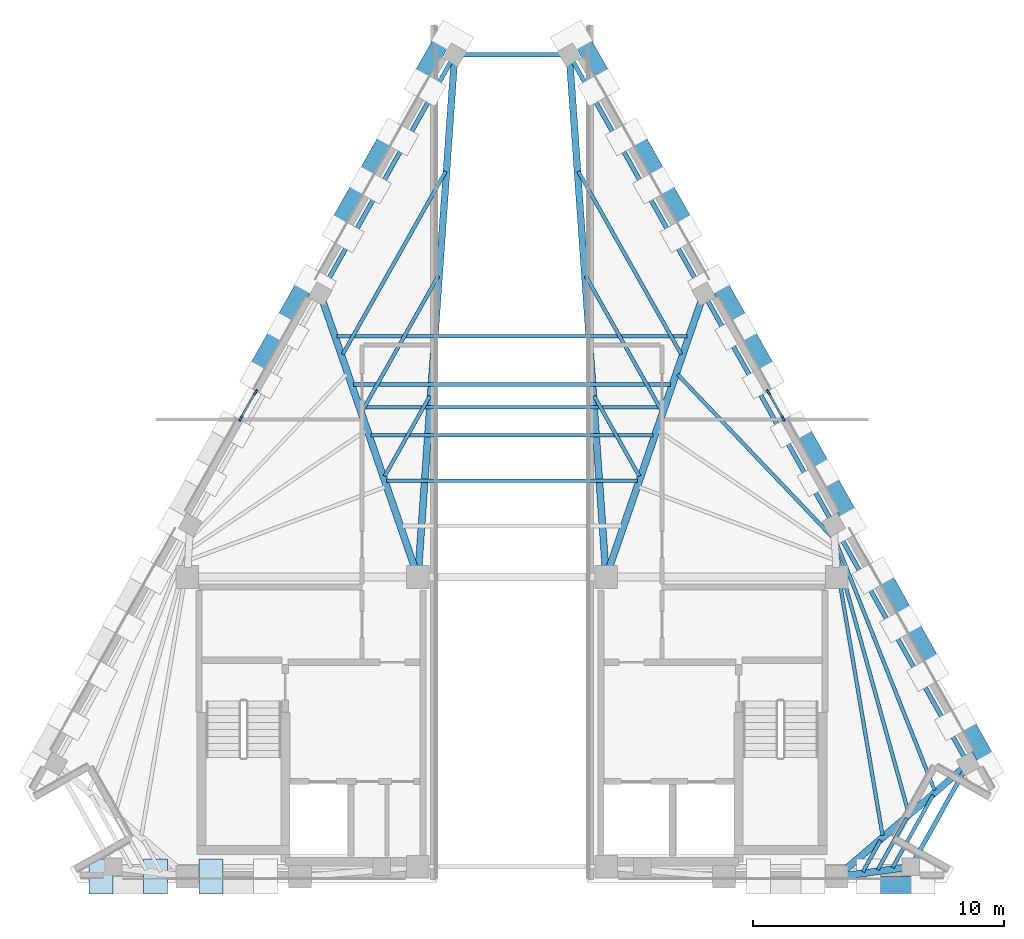
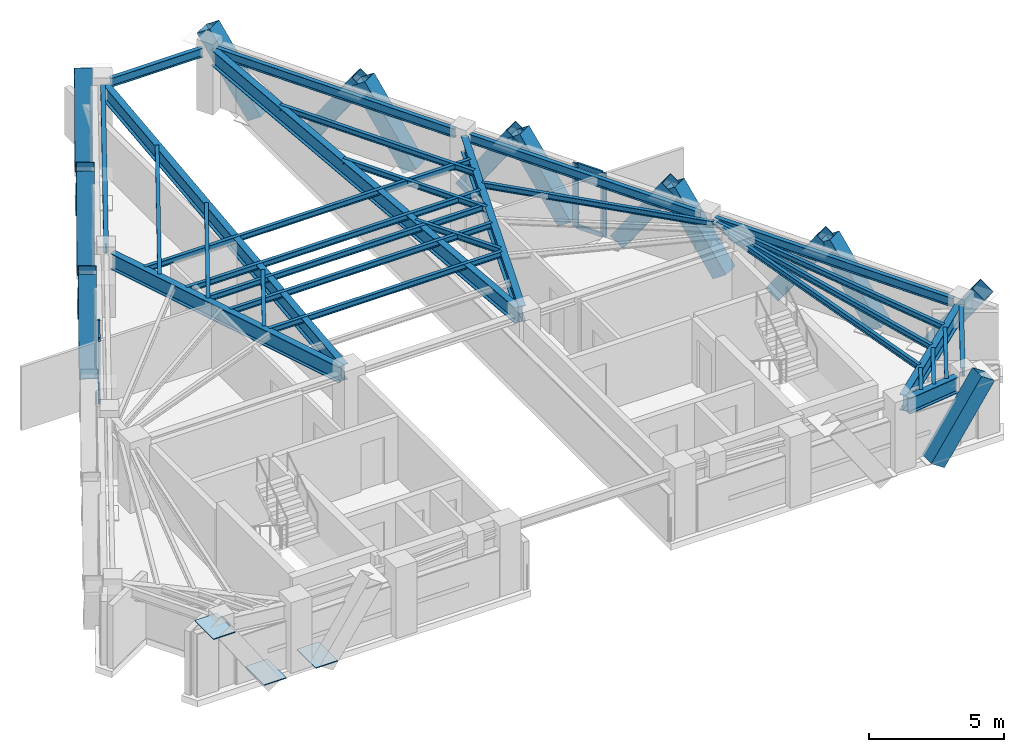
# One storey, part 2 of 6: 30 beams, 24 members, 3 plates, 2 elements without a shape of their own.
"""IFC4 building model written with IfcOpenShell, lengths in metres."""

from ifc_helpers import new_model, si_unit, direction, frame, origin, origin_2d, place, context, subcontext, project, spatial, rectangle, hollow_rectangle, i_section, extrude, material, layer, layer_set, material_profile, profile_set, type_object, element, aggregate, save


model = new_model("IFC4")

# Units and contexts
model_context = context("Model", 3, precision=1e-05, world=origin(), true_north=direction((0.0, 1.0)))
body_context = subcontext(model_context, "Body", "Model", "MODEL_VIEW")
ifc_project = project(units=[si_unit("LENGTHUNIT", "METRE"), si_unit("AREAUNIT", "SQUARE_METRE"), si_unit("VOLUMEUNIT", "CUBIC_METRE"), si_unit("PLANEANGLEUNIT", "RADIAN"), si_unit("MASSUNIT", "GRAM", prefix="KILO")], contexts=[model_context])

# Site, building, storey
site_placement = place(None, origin())
site = spatial("IfcSite", under=ifc_project, at=site_placement, CompositionType="ELEMENT")
building_placement = place(site_placement, origin())
building = spatial("IfcBuilding", under=site, at=building_placement, Name="Quenlor Broadcast Tower", CompositionType="ELEMENT")
storey_placement = place(building_placement, frame((0.0, 0.0, 277.300048828125)))
storey = spatial("IfcBuildingStorey", under=building, at=storey_placement, Name="L77", CompositionType="ELEMENT", Elevation=277.300048828125)

# Curtain wall, members
ifc_material_1 = material(Name="Architectural Terracotta and Low-E Glazing", Category="masonry")
curtain_wall_type = type_object("IfcCurtainWallType", Name="Station Concourse and Crown Terracotta Curtain Wall", PredefinedType="NOTDEFINED", material=ifc_material_1)
curtain_wall_1_placement = place(storey_placement, origin())
curtain_wall_1 = element("IfcCurtainWall", 1, at=curtain_wall_1_placement, inside=storey, type_object=curtain_wall_type, Name="L77 Curtain Wall CW6 (L77-NE-G1)", PredefinedType="NOTDEFINED")
ifc_material_2 = material(Name="Aluminium 6063-T6", Category="aluminium")
ifc_material_profile_1 = material_profile(ifc_material_2, rectangle(XDim=0.08203125, YDim=0.239990234375, at=origin_2d()))
ifc_profile_set_1 = profile_set([ifc_material_profile_1], Name="Aluminium 6063-T6 MULL82x240")
member_type_1 = type_object("IfcMemberType", Name="CW6 Aluminium Mullion MULL_CW6", PredefinedType="MULLION", material=ifc_profile_set_1)
member_1_placement = place(storey_placement, frame((10.22314453125, 2.5625, 0.0), z_axis=(0.0, 0.0, 1.0), x_axis=(0.871552571349, 0.490302065441, 0.0)))
member_1 = element("IfcMember", 2, at=member_1_placement, type_object=member_type_1, Name="CW6 mullion 1", PredefinedType="MULLION", context=body_context, shape_type="SweptSolid", body=[
    extrude(rectangle(XDim=0.08203125, YDim=0.239990234375, at=origin_2d()), origin(), (0.0, 0.0, 1.0), 2.8798828125),
])
member_2_placement = place(storey_placement, frame((10.810302734375, 1.51904296875, 0.0), z_axis=(0.0, 0.0, 1.0), x_axis=(0.871552571349, 0.490302065441, 0.0)))
member_2 = element("IfcMember", 3, at=member_2_placement, type_object=member_type_1, Name="CW6 mullion 2", PredefinedType="MULLION", context=body_context, shape_type="SweptSolid", body=[
    extrude(rectangle(XDim=0.08203125, YDim=0.239990234375, at=origin_2d()), origin(), (0.0, 0.0, 1.0), 2.8798828125),
])

curtain_wall_2_placement = place(storey_placement, origin())
curtain_wall_2 = element("IfcCurtainWall", 4, at=curtain_wall_2_placement, inside=storey, type_object=curtain_wall_type, Name="L77 Curtain Wall CW6 (L77-NW-G1)", PredefinedType="NOTDEFINED")
member_3_placement = place(storey_placement, frame((-10.810302734375, 1.51904296875, 0.0), z_axis=(0.0, 0.0, 1.0), x_axis=(-0.871552571349, 0.490302065441, 0.0)))
member_3 = element("IfcMember", 5, at=member_3_placement, type_object=member_type_1, Name="CW6 mullion 1", PredefinedType="MULLION", context=body_context, shape_type="SweptSolid", body=[
    extrude(rectangle(XDim=0.08203125, YDim=0.239990234375, at=origin_2d()), origin(), (0.0, 0.0, 1.0), 2.8798828125),
])
member_4_placement = place(storey_placement, frame((-10.22314453125, 2.5625, 0.0), z_axis=(0.0, 0.0, 1.0), x_axis=(-0.871552571349, 0.490302065441, 0.0)))
member_4 = element("IfcMember", 6, at=member_4_placement, type_object=member_type_1, Name="CW6 mullion 2", PredefinedType="MULLION", context=body_context, shape_type="SweptSolid", body=[
    extrude(rectangle(XDim=0.08203125, YDim=0.239990234375, at=origin_2d()), origin(), (0.0, 0.0, 1.0), 2.8798828125),
])

# Member
ifc_material_3 = material(Name="Aluminium 6063-T6", Category="aluminium")
ifc_material_profile_2 = material_profile(ifc_material_3, rectangle(XDim=0.08203125, YDim=0.195068359375, at=origin_2d()))
ifc_profile_set_2 = profile_set([ifc_material_profile_2], Name="Aluminium 6063-T6 TRAN82x195")
member_type_2 = type_object("IfcMemberType", Name="CW6 Aluminium Transom TRAN_CW6", PredefinedType="USERDEFINED", material=ifc_profile_set_2)
member_5_placement = place(storey_placement, frame((10.243408203125, 2.526611328125, 0.041015625), z_axis=(0.490209264597, -0.871604771042, 0.0), x_axis=(0.871604771042, 0.490209264597, 0.0)))
member_5 = element("IfcMember", 7, at=member_5_placement, type_object=member_type_2, Name="CW6 transom 1.1", ObjectType="TRANSOM", PredefinedType="USERDEFINED", context=body_context, shape_type="SweptSolid", body=[
    extrude(rectangle(XDim=0.08203125, YDim=0.195068359375, at=origin_2d()), origin(), (0.0, 0.0, 1.0), 1.114990234375),
])

member_6_placement = place(storey_placement, frame((10.243408203125, 2.526611328125, 2.8388671875), z_axis=(0.490209264597, -0.871604771042, 0.0), x_axis=(0.871604771042, 0.490209264597, 0.0)))
member_6 = element("IfcMember", 8, at=member_6_placement, type_object=member_type_2, Name="CW6 transom 1.2", ObjectType="TRANSOM", PredefinedType="USERDEFINED", context=body_context, shape_type="SweptSolid", body=[
    extrude(rectangle(XDim=0.08203125, YDim=0.195068359375, at=origin_2d()), origin(), (0.0, 0.0, 1.0), 1.114990234375),
])

aggregate(curtain_wall_1, [member_1, member_2, member_5, member_6])

member_7_placement = place(storey_placement, frame((-10.7900390625, 1.5546875, 0.041015625), z_axis=(0.490209264597, 0.871604771042, 0.0), x_axis=(-0.871604771042, 0.490209264597, 0.0)))
member_7 = element("IfcMember", 9, at=member_7_placement, type_object=member_type_2, Name="CW6 transom 1.1", ObjectType="TRANSOM", PredefinedType="USERDEFINED", context=body_context, shape_type="SweptSolid", body=[
    extrude(rectangle(XDim=0.08203125, YDim=0.195068359375, at=origin_2d()), origin(), (0.0, 0.0, 1.0), 1.114990234375),
])

member_8_placement = place(storey_placement, frame((-10.7900390625, 1.5546875, 2.8388671875), z_axis=(0.490209264597, 0.871604771042, 0.0), x_axis=(-0.871604771042, 0.490209264597, 0.0)))
member_8 = element("IfcMember", 10, at=member_8_placement, type_object=member_type_2, Name="CW6 transom 1.2", ObjectType="TRANSOM", PredefinedType="USERDEFINED", context=body_context, shape_type="SweptSolid", body=[
    extrude(rectangle(XDim=0.08203125, YDim=0.195068359375, at=origin_2d()), origin(), (0.0, 0.0, 1.0), 1.114990234375),
])

aggregate(curtain_wall_2, [member_3, member_4, member_7, member_8])

# Beams
ifc_material_4 = material(Name="Steel S355", Category="steel")
ifc_material_profile_3 = material_profile(ifc_material_4, i_section(OverallWidth=0.14599609375, OverallDepth=0.256103515625, WebThickness=0.00634765625, FlangeThickness=0.010986328125, FilletRadius=0.0087890625, at=origin_2d()))
ifc_profile_set_3 = profile_set([ifc_material_profile_3], Name="Steel S355 250UB37.3")
beam_type_1 = type_object("IfcBeamType", Name="Crown Deck Joist Steel S355 250UB37.3", PredefinedType="JOIST", material=ifc_profile_set_3)
beam_1_placement = place(storey_placement, frame((-6.0048828125, 1.9736328125, 2.751953125), z_axis=(1.0, 0.0, 0.0), x_axis=(0.0, 1.0, 0.0)))
element("IfcBeam", 11, at=beam_1_placement, inside=storey, type_object=beam_type_1, Name="L77 Secondary Composite Joist 2", PredefinedType="JOIST", context=body_context, shape_type="SweptSolid", body=[
    extrude(i_section(OverallWidth=0.14599609375, OverallDepth=0.256103515625, WebThickness=0.00634765625, FlangeThickness=0.010986328125, FilletRadius=0.0087890625, at=origin_2d()), origin(), (0.0, 0.0, 1.0), 12.009765625),
])
beam_2_placement = place(storey_placement, frame((-4.9931640625, -0.961669921875, 2.751953125), z_axis=(1.0, 0.0, 0.0), x_axis=(0.0, 1.0, 0.0)))
element("IfcBeam", 12, at=beam_2_placement, inside=storey, type_object=beam_type_1, Name="L77 Secondary Composite Joist 3", PredefinedType="JOIST", context=body_context, shape_type="SweptSolid", body=[
    extrude(i_section(OverallWidth=0.14599609375, OverallDepth=0.256103515625, WebThickness=0.00634765625, FlangeThickness=0.010986328125, FilletRadius=0.0087890625, at=origin_2d()), origin(), (0.0, 0.0, 1.0), 9.986328125),
])
beam_3_placement = place(storey_placement, frame((-5.61572265625, 0.8447265625, 2.751953125), z_axis=(1.0, 0.0, 0.0), x_axis=(0.0, 1.0, 0.0)))
element("IfcBeam", 13, at=beam_3_placement, inside=storey, type_object=beam_type_1, Name="L77 Secondary Composite Joist 4", PredefinedType="JOIST", context=body_context, shape_type="SweptSolid", body=[
    extrude(i_section(OverallWidth=0.14599609375, OverallDepth=0.256103515625, WebThickness=0.00634765625, FlangeThickness=0.010986328125, FilletRadius=0.0087890625, at=origin_2d()), origin(), (0.0, 0.0, 1.0), 11.2314453125),
])
beam_4_placement = place(storey_placement, frame((-6.316162109375, 2.876708984375, 2.751953125), z_axis=(1.0, 0.0, 0.0), x_axis=(0.0, 1.0, 0.0)))
element("IfcBeam", 14, at=beam_4_placement, inside=storey, type_object=beam_type_1, Name="L77 Secondary Composite Joist 5", PredefinedType="JOIST", context=body_context, shape_type="SweptSolid", body=[
    extrude(i_section(OverallWidth=0.14599609375, OverallDepth=0.256103515625, WebThickness=0.00634765625, FlangeThickness=0.010986328125, FilletRadius=0.0087890625, at=origin_2d()), origin(), (0.0, 0.0, 1.0), 12.63232421875),
])
beam_5_placement = place(storey_placement, frame((-6.977783203125, 4.7958984375, 2.751953125), z_axis=(1.0, 0.0, 0.0), x_axis=(0.0, 1.0, 0.0)))
element("IfcBeam", 15, at=beam_5_placement, inside=storey, type_object=beam_type_1, Name="L77 Secondary Composite Joist 6", PredefinedType="JOIST", context=body_context, shape_type="SweptSolid", body=[
    extrude(i_section(OverallWidth=0.14599609375, OverallDepth=0.256103515625, WebThickness=0.00634765625, FlangeThickness=0.010986328125, FilletRadius=0.0087890625, at=origin_2d()), origin(), (0.0, 0.0, 1.0), 13.95556640625),
])
beam_6_placement = place(storey_placement, frame((12.80517578125, -3.249267578125, 2.751953125), z_axis=(-0.689023306429, 0.724739182877, 0.0), x_axis=(-0.724739182877, -0.689023306429, 0.0)))
element("IfcBeam", 16, at=beam_6_placement, inside=storey, type_object=beam_type_1, Name="L77 Secondary Composite Joist 12", PredefinedType="JOIST", context=body_context, shape_type="SweptSolid", body=[
    extrude(i_section(OverallWidth=0.14599609375, OverallDepth=0.256103515625, WebThickness=0.00634765625, FlangeThickness=0.010986328125, FilletRadius=0.0087890625, at=origin_2d()), origin(), (0.0, 0.0, 1.0), 8.99560546875),
])
beam_7_placement = place(storey_placement, frame((14.76806640625, -15.09619140625, 2.751953125), z_axis=(-0.166553293246, 0.986032454085, 0.0), x_axis=(-0.986032454085, -0.166553293246, 0.0)))
element("IfcBeam", 17, at=beam_7_placement, inside=storey, type_object=beam_type_1, Name="L77 Secondary Composite Joist 16", PredefinedType="JOIST", context=body_context, shape_type="SweptSolid", body=[
    extrude(i_section(OverallWidth=0.14599609375, OverallDepth=0.256103515625, WebThickness=0.00634765625, FlangeThickness=0.010986328125, FilletRadius=0.0087890625, at=origin_2d()), origin(), (0.0, 0.0, 1.0), 11.097900390625),
])
beam_8_placement = place(storey_placement, frame((15.806396484375, -14.197998046875, 2.751953125), z_axis=(-0.26744552871, 0.96357298072, 0.0), x_axis=(-0.96357298072, -0.26744552871, 0.0)))
element("IfcBeam", 18, at=beam_8_placement, inside=storey, type_object=beam_type_1, Name="L77 Secondary Composite Joist 17", PredefinedType="JOIST", context=body_context, shape_type="SweptSolid", body=[
    extrude(i_section(OverallWidth=0.14599609375, OverallDepth=0.256103515625, WebThickness=0.00634765625, FlangeThickness=0.010986328125, FilletRadius=0.0087890625, at=origin_2d()), origin(), (0.0, 0.0, 1.0), 10.856689453125),
])
beam_9_placement = place(storey_placement, frame((16.8447265625, -13.300537109375, 2.751953125), z_axis=(-0.368680258049, 0.929556274426, 0.0), x_axis=(-0.929556274426, -0.368680258049, 0.0)))
element("IfcBeam", 19, at=beam_9_placement, inside=storey, type_object=beam_type_1, Name="L77 Secondary Composite Joist 18", PredefinedType="JOIST", context=body_context, shape_type="SweptSolid", body=[
    extrude(i_section(OverallWidth=0.14599609375, OverallDepth=0.256103515625, WebThickness=0.00634765625, FlangeThickness=0.010986328125, FilletRadius=0.0087890625, at=origin_2d()), origin(), (0.0, 0.0, 1.0), 10.737548828125),
])
beam_10_placement = place(storey_placement, frame((13.9912109375, -16.544189453125, 2.751953125), z_axis=(0.486624304452, 0.873611347406, 0.0), x_axis=(-0.873611347406, 0.486624304452, 0.0)))
element("IfcBeam", 20, at=beam_10_placement, inside=storey, type_object=beam_type_1, Name="L77 Secondary Composite Joist 22", PredefinedType="JOIST", context=body_context, shape_type="SweptSolid", body=[
    extrude(i_section(OverallWidth=0.14599609375, OverallDepth=0.256103515625, WebThickness=0.00634765625, FlangeThickness=0.010986328125, FilletRadius=0.0087890625, at=origin_2d()), origin(), (0.0, 0.0, 1.0), 1.435791015625),
])
beam_11_placement = place(storey_placement, frame((14.58056640625, -16.464111328125, 2.751953125), z_axis=(0.486820963037, 0.873501774439, 0.0), x_axis=(-0.873501774439, 0.486820963037, 0.0)))
element("IfcBeam", 21, at=beam_11_placement, inside=storey, type_object=beam_type_1, Name="L77 Secondary Composite Joist 23", PredefinedType="JOIST", context=body_context, shape_type="SweptSolid", body=[
    extrude(i_section(OverallWidth=0.14599609375, OverallDepth=0.256103515625, WebThickness=0.00634765625, FlangeThickness=0.010986328125, FilletRadius=0.0087890625, at=origin_2d()), origin(), (0.0, 0.0, 1.0), 2.37451171875),
])
beam_12_placement = place(storey_placement, frame((15.170166015625, -16.384033203125, 2.751953125), z_axis=(0.486762404011, 0.873534408046, 0.0), x_axis=(-0.873534408046, 0.486762404011, 0.0)))
element("IfcBeam", 22, at=beam_12_placement, inside=storey, type_object=beam_type_1, Name="L77 Secondary Composite Joist 24", PredefinedType="JOIST", context=body_context, shape_type="SweptSolid", body=[
    extrude(i_section(OverallWidth=0.14599609375, OverallDepth=0.256103515625, WebThickness=0.00634765625, FlangeThickness=0.010986328125, FilletRadius=0.0087890625, at=origin_2d()), origin(), (0.0, 0.0, 1.0), 3.313232421875),
])
beam_13_placement = place(storey_placement, frame((-3.2763671875, 2.41455078125, 2.751953125), z_axis=(-0.490258076222, -0.871577316535, 0.0), x_axis=(0.871577316535, -0.490258076222, 0.0)))
element("IfcBeam", 23, at=beam_13_placement, inside=storey, type_object=beam_type_1, Name="L77 Secondary Composite Joist 25", PredefinedType="JOIST", context=body_context, shape_type="SweptSolid", body=[
    extrude(i_section(OverallWidth=0.14599609375, OverallDepth=0.256103515625, WebThickness=0.00634765625, FlangeThickness=0.010986328125, FilletRadius=0.0087890625, at=origin_2d()), origin(), (0.0, 0.0, 1.0), 3.6640625),
])
beam_14_placement = place(storey_placement, frame((-2.939208984375, 7.201416015625, 2.751953125), z_axis=(-0.490266868828, -0.871572370678, 0.0), x_axis=(0.871572370678, -0.490266868828, 0.0)))
element("IfcBeam", 24, at=beam_14_placement, inside=storey, type_object=beam_type_1, Name="L77 Secondary Composite Joist 26", PredefinedType="JOIST", context=body_context, shape_type="SweptSolid", body=[
    extrude(i_section(OverallWidth=0.14599609375, OverallDepth=0.256103515625, WebThickness=0.00634765625, FlangeThickness=0.010986328125, FilletRadius=0.0087890625, at=origin_2d()), origin(), (0.0, 0.0, 1.0), 6.177490234375),
])
beam_15_placement = place(storey_placement, frame((-2.646240234375, 11.364013671875, 2.751953125), z_axis=(-0.490264011812, -0.871573977768, 0.0), x_axis=(0.871573977768, -0.490264011812, 0.0)))
element("IfcBeam", 25, at=beam_15_placement, inside=storey, type_object=beam_type_1, Name="L77 Secondary Composite Joist 27", PredefinedType="JOIST", context=body_context, shape_type="SweptSolid", body=[
    extrude(i_section(OverallWidth=0.14599609375, OverallDepth=0.256103515625, WebThickness=0.00634765625, FlangeThickness=0.010986328125, FilletRadius=0.0087890625, at=origin_2d()), origin(), (0.0, 0.0, 1.0), 8.362548828125),
])
beam_16_placement = place(storey_placement, frame((3.2763671875, 2.41455078125, 2.751953125), z_axis=(0.490258076222, -0.871577316535, 0.0), x_axis=(0.871577316535, 0.490258076222, 0.0)))
element("IfcBeam", 26, at=beam_16_placement, inside=storey, type_object=beam_type_1, Name="L77 Secondary Composite Joist 28", PredefinedType="JOIST", context=body_context, shape_type="SweptSolid", body=[
    extrude(i_section(OverallWidth=0.14599609375, OverallDepth=0.256103515625, WebThickness=0.00634765625, FlangeThickness=0.010986328125, FilletRadius=0.0087890625, at=origin_2d()), origin(), (0.0, 0.0, 1.0), 3.6640625),
])
beam_17_placement = place(storey_placement, frame((2.939208984375, 7.201416015625, 2.751953125), z_axis=(0.490266868828, -0.871572370678, 0.0), x_axis=(0.871572370678, 0.490266868828, 0.0)))
element("IfcBeam", 27, at=beam_17_placement, inside=storey, type_object=beam_type_1, Name="L77 Secondary Composite Joist 29", PredefinedType="JOIST", context=body_context, shape_type="SweptSolid", body=[
    extrude(i_section(OverallWidth=0.14599609375, OverallDepth=0.256103515625, WebThickness=0.00634765625, FlangeThickness=0.010986328125, FilletRadius=0.0087890625, at=origin_2d()), origin(), (0.0, 0.0, 1.0), 6.177490234375),
])
beam_18_placement = place(storey_placement, frame((2.646240234375, 11.364013671875, 2.751953125), z_axis=(0.490264011812, -0.871573977768, 0.0), x_axis=(0.871573977768, 0.490264011812, 0.0)))
element("IfcBeam", 28, at=beam_18_placement, inside=storey, type_object=beam_type_1, Name="L77 Secondary Composite Joist 30", PredefinedType="JOIST", context=body_context, shape_type="SweptSolid", body=[
    extrude(i_section(OverallWidth=0.14599609375, OverallDepth=0.256103515625, WebThickness=0.00634765625, FlangeThickness=0.010986328125, FilletRadius=0.0087890625, at=origin_2d()), origin(), (0.0, 0.0, 1.0), 8.362548828125),
])
ifc_material_5 = material(Name="Steel S355", Category="steel")
ifc_material_profile_4 = material_profile(ifc_material_5, i_section(OverallWidth=0.27490234375, OverallDepth=0.716064453125, WebThickness=0.013916015625, FlangeThickness=0.02490234375, FilletRadius=0.013916015625, at=origin_2d()))
ifc_profile_set_4 = profile_set([ifc_material_profile_4], Name="Steel S355 700WB173")
beam_type_2 = type_object("IfcBeamType", Name="Crown Plant Ring Girder Steel S355 700WB173", PredefinedType="BEAM", material=ifc_profile_set_4)
beam_19_placement = place(storey_placement, frame((15.59033203125, -16.3916015625, 2.52197265625), z_axis=(-0.990908681621, -0.134536183561, 0.0), x_axis=(0.134536183561, -0.990908681621, 0.0)))
element("IfcBeam", 29, at=beam_19_placement, inside=storey, type_object=beam_type_2, Name="L77 Primary Radial Beam S4", PredefinedType="BEAM", context=body_context, shape_type="SweptSolid", body=[
    extrude(i_section(OverallWidth=0.27490234375, OverallDepth=0.716064453125, WebThickness=0.013916015625, FlangeThickness=0.02490234375, FilletRadius=0.013916015625, at=origin_2d()), origin(), (0.0, 0.0, 1.0), 2.28466796875),
])
beam_20_placement = place(storey_placement, frame((17.947265625, -12.451904296875, 2.52197265625), z_axis=(-0.758156826123, -0.652072255968, 0.0), x_axis=(0.652072255968, -0.758156826123, 0.0)))
element("IfcBeam", 30, at=beam_20_placement, inside=storey, type_object=beam_type_2, Name="L77 Primary Radial Beam NE1", PredefinedType="BEAM", context=body_context, shape_type="SweptSolid", body=[
    extrude(i_section(OverallWidth=0.27490234375, OverallDepth=0.716064453125, WebThickness=0.013916015625, FlangeThickness=0.02490234375, FilletRadius=0.013916015625, at=origin_2d()), origin(), (0.0, 0.0, 1.0), 6.21142578125),
])
beam_21_placement = place(storey_placement, frame((7.54052734375, 6.1962890625, 2.52197265625), z_axis=(-0.325897728726, -0.945405029821, 0.0), x_axis=(0.945405029821, -0.325897728726, 0.0)))
element("IfcBeam", 31, at=beam_21_placement, inside=storey, type_object=beam_type_2, Name="L77 Primary Radial Beam NE3", PredefinedType="BEAM", context=body_context, shape_type="SweptSolid", body=[
    extrude(i_section(OverallWidth=0.27490234375, OverallDepth=0.716064453125, WebThickness=0.013916015625, FlangeThickness=0.02490234375, FilletRadius=0.013916015625, at=origin_2d()), origin(), (0.0, 0.0, 1.0), 11.251220703125),
])
for number, where, z_axis, x_axis, name in (
    (32, (2.306396484375, 15.703369140625, 2.52197265625), (0.070238211714, -0.997530246968, 0.0), (0.997530246968, 0.070238211714, 0.0), "L77 Primary Radial Beam NE4"),
    (33, (-2.306396484375, 15.703369140625, 2.52197265625), (-0.070238211714, -0.997530246968, 0.0), (0.997530246968, -0.070238211714, 0.0), "L77 Primary Radial Beam NW1"),
):
    element("IfcBeam", number, at=place(storey_placement, frame(where, z_axis=z_axis, x_axis=x_axis)), inside=storey, type_object=beam_type_2, Name=name, PredefinedType="BEAM", context=body_context, shape_type="SweptSolid", body=[
        extrude(i_section(OverallWidth=0.27490234375, OverallDepth=0.716064453125, WebThickness=0.013916015625, FlangeThickness=0.02490234375, FilletRadius=0.013916015625, at=origin_2d()), origin(), (0.0, 0.0, 1.0), 20.174072265625),
    ])
beam_22_placement = place(storey_placement, frame((-7.54052734375, 6.1962890625, 2.52197265625), z_axis=(0.325897728726, -0.945405029821, 0.0), x_axis=(0.945405029821, 0.325897728726, 0.0)))
element("IfcBeam", 34, at=beam_22_placement, inside=storey, type_object=beam_type_2, Name="L77 Primary Radial Beam NW2", PredefinedType="BEAM", context=body_context, shape_type="SweptSolid", body=[
    extrude(i_section(OverallWidth=0.27490234375, OverallDepth=0.716064453125, WebThickness=0.013916015625, FlangeThickness=0.02490234375, FilletRadius=0.013916015625, at=origin_2d()), origin(), (0.0, 0.0, 1.0), 11.251220703125),
])

# Members
ifc_material_6 = material(Name="Steel S355", Category="steel")
ifc_material_profile_5 = material_profile(ifc_material_6, hollow_rectangle(XDim=0.679931640625, YDim=0.679931640625, WallThickness=0.02001953125, at=origin_2d()))
ifc_profile_set_5 = profile_set([ifc_material_profile_5], Name="Steel S355 RHS680x680x20")
member_type_3 = type_object("IfcMemberType", Name="Perimeter Diagonal Lattice Brace Z5-Crown Steel S355 RHS680x20", PredefinedType="BRACE", material=ifc_profile_set_5)
member_9_placement = place(storey_placement, frame((14.208984375, -17.070068359375, -0.1201171875), z_axis=(0.559115378164, 0.0, 0.829089858761), x_axis=(0.0, 1.0, 0.0)))
element("IfcMember", 35, at=member_9_placement, inside=storey, type_object=member_type_3, Name="L77 Perimeter Diamond Lattice S-C1B", PredefinedType="BRACE", context=body_context, shape_type="SweptSolid", body=[
    extrude(hollow_rectangle(XDim=0.679931640625, YDim=0.679931640625, WallThickness=0.02001953125, at=origin_2d()), origin(), (0.0, 0.0, 1.0), 3.859619140625),
])
for number, where, z_axis, x_axis, name in (
    (36, (4.85498046875, 12.91162109375, -0.1201171875), (0.278069737008, -0.494241464761, 0.82365198711), (0.871531143255, 0.490340153707, 0.0), "L77 Perimeter Diamond Lattice NE-C1S"),
    (37, (3.748779296875, 14.878173828125, -0.1201171875), (-0.278011753881, 0.494250100424, 0.823666378417), (-0.871578496623, -0.490255978266, 0.0), "L77 Perimeter Diamond Lattice NE-C1B"),
    (38, (8.134521484375, 7.081298828125, -0.1201171875), (0.278011753881, -0.494250100424, 0.823666378417), (0.871578496623, 0.490255978266, 0.0), "L77 Perimeter Diamond Lattice NE-C2S"),
    (39, (7.0283203125, 9.048095703125, -0.1201171875), (-0.278020388647, 0.494202607668, 0.823691960669), (-0.87155185771, -0.490303333991, 0.0), "L77 Perimeter Diamond Lattice NE-C2B"),
    (40, (11.4140625, 1.2509765625, -0.1201171875), (0.278011753881, -0.494250100424, 0.823666378417), (0.871578496623, 0.490255978266, 0.0), "L77 Perimeter Diamond Lattice NE-C3S"),
    (41, (10.307861328125, 3.2177734375, -0.1201171875), (-0.278020388647, 0.494202607668, 0.823691960669), (-0.87155185771, -0.490303333991, 0.0), "L77 Perimeter Diamond Lattice NE-C3B"),
    (42, (14.693603515625, -4.5791015625, -0.1201171875), (0.278011753881, -0.494250100424, 0.823666378417), (0.871578496623, 0.490255978266, 0.0), "L77 Perimeter Diamond Lattice NE-C4S"),
    (43, (13.58740234375, -2.612548828125, -0.1201171875), (-0.278011753881, 0.494250100424, 0.823666378417), (-0.871578496623, -0.490255978266, 0.0), "L77 Perimeter Diamond Lattice NE-C4B"),
    (44, (17.97314453125, -10.409423828125, -0.1201171875), (0.278011753881, -0.494250100424, 0.823666378417), (0.871578496623, 0.490255978266, 0.0), "L77 Perimeter Diamond Lattice NE-C5S"),
):
    element("IfcMember", number, at=place(storey_placement, frame(where, z_axis=z_axis, x_axis=x_axis)), inside=storey, type_object=member_type_3, Name=name, PredefinedType="BRACE", context=body_context, shape_type="SweptSolid", body=[
        extrude(hollow_rectangle(XDim=0.679931640625, YDim=0.679931640625, WallThickness=0.02001953125, at=origin_2d()), origin(), (0.0, 0.0, 1.0), 3.885009765625),
    ])
member_10_placement = place(storey_placement, frame((16.86669921875, -8.442626953125, -0.1201171875), z_axis=(-0.277962400982, 0.494211241538, 0.823706350818), x_axis=(-0.871599215793, -0.490219141843, 0.0)))
element("IfcMember", 45, at=member_10_placement, inside=storey, type_object=member_type_3, Name="L77 Perimeter Diamond Lattice NE-C5B", PredefinedType="BRACE", context=body_context, shape_type="SweptSolid", body=[
    extrude(hollow_rectangle(XDim=0.679931640625, YDim=0.679931640625, WallThickness=0.02001953125, at=origin_2d()), origin(), (0.0, 0.0, 1.0), 3.884765625),
])
for number, where, z_axis, x_axis, name in (
    (46, (-10.307861328125, 3.2177734375, -0.1201171875), (0.278020388647, 0.494202607668, 0.823691960669), (-0.87155185771, 0.490303333991, 0.0), "L77 Perimeter Diamond Lattice NW-C3S"),
    (47, (-7.0283203125, 9.048095703125, -0.1201171875), (0.278020388647, 0.494202607668, 0.823691960669), (-0.87155185771, 0.490303333991, 0.0), "L77 Perimeter Diamond Lattice NW-C4S"),
    (48, (-8.134521484375, 7.081298828125, -0.1201171875), (-0.278011753881, -0.494250100424, 0.823666378417), (0.871578496623, -0.490255978266, 0.0), "L77 Perimeter Diamond Lattice NW-C4B"),
    (49, (-3.748779296875, 14.878173828125, -0.1201171875), (0.278011753881, 0.494250100424, 0.823666378417), (-0.871578496623, 0.490255978266, 0.0), "L77 Perimeter Diamond Lattice NW-C5S"),
    (50, (-4.85498046875, 12.91162109375, -0.1201171875), (-0.278069737008, -0.494241464761, 0.82365198711), (0.871531143255, -0.490340153707, 0.0), "L77 Perimeter Diamond Lattice NW-C5B"),
):
    element("IfcMember", number, at=place(storey_placement, frame(where, z_axis=z_axis, x_axis=x_axis)), inside=storey, type_object=member_type_3, Name=name, PredefinedType="BRACE", context=body_context, shape_type="SweptSolid", body=[
        extrude(hollow_rectangle(XDim=0.679931640625, YDim=0.679931640625, WallThickness=0.02001953125, at=origin_2d()), origin(), (0.0, 0.0, 1.0), 3.885009765625),
    ])

# Beams
ifc_material_7 = material(Name="Steel S355", Category="steel")
ifc_material_profile_6 = material_profile(ifc_material_7, i_section(OverallWidth=0.177978515625, OverallDepth=0.406494140625, WebThickness=0.0078125, FlangeThickness=0.0126953125, FilletRadius=0.011474609375, at=origin_2d()))
ifc_profile_set_6 = profile_set([ifc_material_profile_6], Name="Steel S355 410UB59.7")
beam_type_3 = type_object("IfcBeamType", Name="Perimeter Spandrel Beam Z5 Steel S355 410UB59.7", PredefinedType="SPANDREL", material=ifc_profile_set_6)
beam_23_placement = place(storey_placement, frame((16.048583984375, -16.0791015625, 2.6767578125), z_axis=(0.486777294572, 0.873526110365, 0.0), x_axis=(-0.873526110365, 0.486777294572, 0.0)))
element("IfcBeam", 51, at=beam_23_placement, inside=storey, type_object=beam_type_3, Name="L77 Spandrel Beam S4-NE1", PredefinedType="SPANDREL", context=body_context, shape_type="SweptSolid", body=[
    extrude(i_section(OverallWidth=0.177978515625, OverallDepth=0.406494140625, WebThickness=0.0078125, FlangeThickness=0.0126953125, FilletRadius=0.011474609375, at=origin_2d()), origin(), (0.0, 0.0, 1.0), 4.073486328125),
])
beam_24_placement = place(storey_placement, frame((18.0302734375, -11.979736328125, 2.6767578125), z_axis=(-0.490249992991, 0.871581863265, 0.0), x_axis=(-0.871581863265, -0.490249992991, 0.0)))
element("IfcBeam", 52, at=beam_24_placement, inside=storey, type_object=beam_type_3, Name="L77 Spandrel Beam NE1-NE2", PredefinedType="SPANDREL", context=body_context, shape_type="SweptSolid", body=[
    extrude(i_section(OverallWidth=0.177978515625, OverallDepth=0.406494140625, WebThickness=0.0078125, FlangeThickness=0.0126953125, FilletRadius=0.011474609375, at=origin_2d()), origin(), (0.0, 0.0, 1.0), 10.306396484375),
])
beam_25_placement = place(storey_placement, frame((12.673583984375, -2.45654296875, 2.6767578125), z_axis=(-0.490271720009, 0.87156964183, 0.0), x_axis=(-0.87156964183, -0.490271720009, 0.0)))
element("IfcBeam", 53, at=beam_25_placement, inside=storey, type_object=beam_type_3, Name="L77 Spandrel Beam NE2-NE3", PredefinedType="SPANDREL", context=body_context, shape_type="SweptSolid", body=[
    extrude(i_section(OverallWidth=0.177978515625, OverallDepth=0.406494140625, WebThickness=0.0078125, FlangeThickness=0.0126953125, FilletRadius=0.011474609375, at=origin_2d()), origin(), (0.0, 0.0, 1.0), 9.953857421875),
])
beam_26_placement = place(storey_placement, frame((7.489501953125, 6.759521484375, 2.6767578125), z_axis=(-0.490260114949, 0.871576169758, 0.0), x_axis=(-0.871576169758, -0.490260114949, 0.0)))
element("IfcBeam", 54, at=beam_26_placement, inside=storey, type_object=beam_type_3, Name="L77 Spandrel Beam NE3-NE4", PredefinedType="SPANDREL", context=body_context, shape_type="SweptSolid", body=[
    extrude(i_section(OverallWidth=0.177978515625, OverallDepth=0.406494140625, WebThickness=0.0078125, FlangeThickness=0.0126953125, FilletRadius=0.011474609375, at=origin_2d()), origin(), (0.0, 0.0, 1.0), 10.30615234375),
])
beam_27_placement = place(storey_placement, frame((1.974609375, 16.012451171875, 2.6767578125), z_axis=(-1.0, 0.0, 0.0), x_axis=(0.0, -1.0, 0.0)))
element("IfcBeam", 55, at=beam_27_placement, inside=storey, type_object=beam_type_3, Name="L77 Spandrel Beam NE4-NW1", PredefinedType="SPANDREL", context=body_context, shape_type="SweptSolid", body=[
    extrude(i_section(OverallWidth=0.177978515625, OverallDepth=0.406494140625, WebThickness=0.0078125, FlangeThickness=0.0126953125, FilletRadius=0.011474609375, at=origin_2d()), origin(), (0.0, 0.0, 1.0), 3.94921875),
])
beam_28_placement = place(storey_placement, frame((-2.436767578125, 15.7421875, 2.6767578125), z_axis=(-0.490260114949, -0.871576169758, 0.0), x_axis=(0.871576169758, -0.490260114949, 0.0)))
element("IfcBeam", 56, at=beam_28_placement, inside=storey, type_object=beam_type_3, Name="L77 Spandrel Beam NW1-NW2", PredefinedType="SPANDREL", context=body_context, shape_type="SweptSolid", body=[
    extrude(i_section(OverallWidth=0.177978515625, OverallDepth=0.406494140625, WebThickness=0.0078125, FlangeThickness=0.0126953125, FilletRadius=0.011474609375, at=origin_2d()), origin(), (0.0, 0.0, 1.0), 10.30615234375),
])

# Plates
ifc_material_8 = material(Name="Steel S355", Category="steel")
ifc_layer = layer(ifc_material_8, 0.035888671875)
ifc_layer_set = layer_set([ifc_layer], Name="Transfer Truss Steel S355 Gusset Node Plate 1400x950x36")
plate_type = type_object("IfcPlateType", Name="Transfer Truss Steel S355 Gusset Node Plate 1400x950x36", PredefinedType="SHEET", material=ifc_layer_set)
for number, where, z_axis, x_axis, name in (
    (57, (-14.208984375, -16.735107421875, 0.0419921875), (0.0, 0.0, 1.0), (0.0, -1.0, 0.0), "L77 Lattice Tie Gusset Node S-B14"),
    (58, (-16.3798828125, -16.735107421875, 2.8818359375), (0.0, 0.0, 1.0), (0.0, -1.0, 0.0), "L77 Lattice Tie Gusset Node S-T15"),
    (59, (-11.998779296875, -16.735107421875, 0.0419921875), (0.0, 0.0, 1.0), (0.0, -1.0, 0.0), "L77 Lattice Tie Gusset Node S-B13"),
):
    element("IfcPlate", number, at=place(storey_placement, frame(where, z_axis=z_axis, x_axis=x_axis)), inside=storey, type_object=plate_type, Name=name, PredefinedType="SHEET", context=body_context, shape_type="SweptSolid", body=[
        extrude(rectangle(XDim=1.39990234375, YDim=0.949951171875, at=origin_2d()), origin(), (0.0, 0.0, 1.0), 0.035888671875),
    ])

save(model, "model.ifc")
